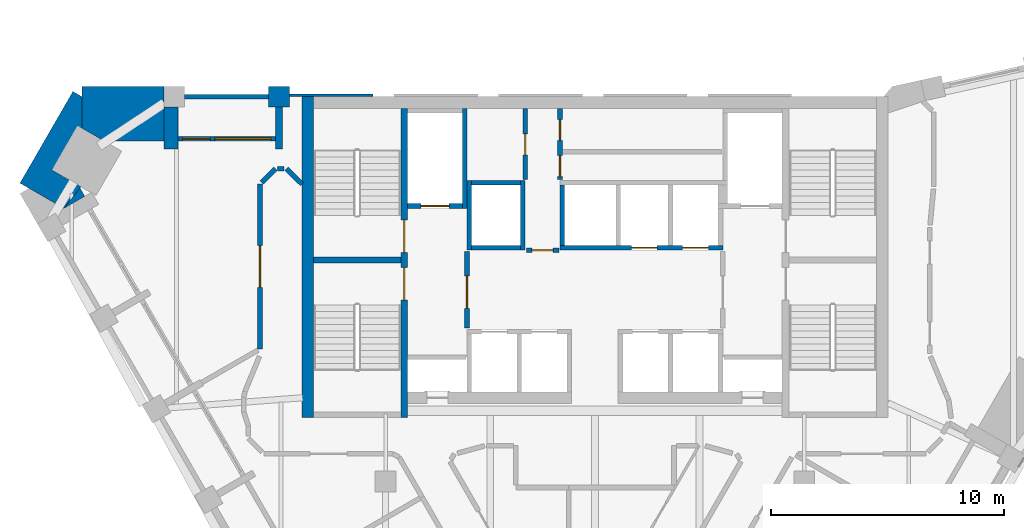
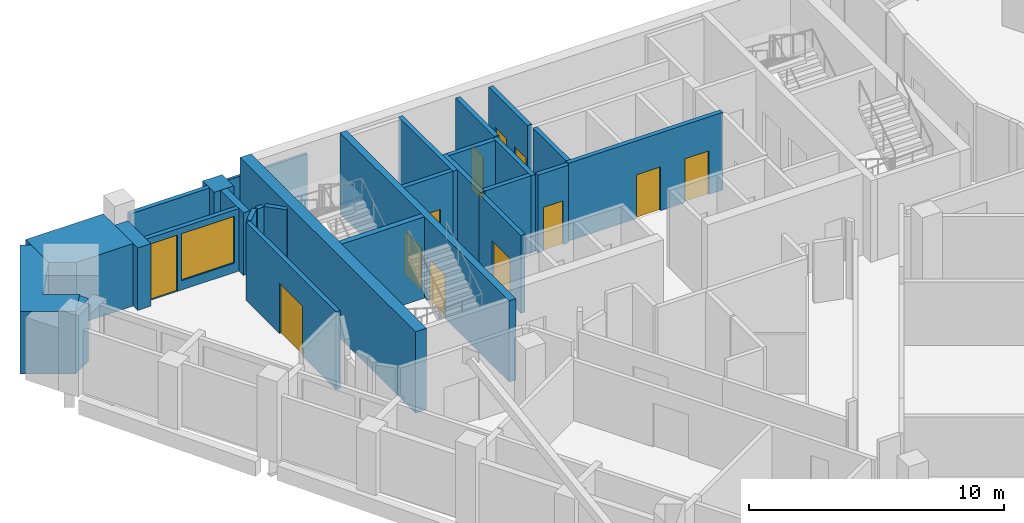
# One storey, part 5 of 8: 28 walls, 12 doors, 1 window, 13 openings.
"""IFC4 building model written with IfcOpenShell, lengths in metres."""

from ifc_helpers import new_model, si_unit, direction, frame, frame_2d, origin, place, context, subcontext, project, spatial, polyline, rectangle, outline, extrude, material, layer, layer_set, type_object, element, fill, save


model = new_model("IFC4")

# Units and contexts
model_context = context("Model", 3, precision=1e-05, world=origin(), true_north=direction((0.0, 1.0)))
body_context = subcontext(model_context, "Body", "Model", "MODEL_VIEW")
ifc_project = project(units=[si_unit("LENGTHUNIT", "METRE"), si_unit("AREAUNIT", "SQUARE_METRE"), si_unit("VOLUMEUNIT", "CUBIC_METRE"), si_unit("PLANEANGLEUNIT", "RADIAN"), si_unit("MASSUNIT", "GRAM", prefix="KILO")], contexts=[model_context])

# Site, building, storey
site_placement = place(None, origin())
site = spatial("IfcSite", under=ifc_project, at=site_placement, CompositionType="ELEMENT")
building_placement = place(site_placement, origin())
building = spatial("IfcBuilding", under=site, at=building_placement, Name="Calabash Gate Tower", CompositionType="ELEMENT")
storey_placement = place(building_placement, frame((0.0, 0.0, 263.800048828125)))
storey = spatial("IfcBuildingStorey", under=building, at=storey_placement, Name="L63", CompositionType="ELEMENT", Elevation=263.800048828125)

# Walls
ifc_material_1 = material(Name="Terracotta brick masonry, exposed face", Category="masonry")
ifc_layer_1 = layer(ifc_material_1, 2.35009765625)
ifc_layer_set_1 = layer_set([ifc_layer_1], Name="Brick corner mass wall 2350")
wall_type_1 = type_object("IfcWallType", Name="Brick corner mass wall 2350", PredefinedType="SOLIDWALL", material=ifc_layer_set_1)
wall_1_placement = place(storey_placement, origin())
element("IfcWall", 1, at=wall_1_placement, inside=storey, type_object=wall_type_1, Name="Brick corner pier S18 3a", PredefinedType="SOLIDWALL", context=body_context, shape_type="SweptSolid", body=[
    extrude(outline(polyline([(-21.11572265625, 17.152587890625), (-18.53857421875, 17.152587890625), (-18.53857421875, 18.60302734375), (-18.5390625, 18.60302734375), (-18.5390625, 19.50244140625), (-22.058349609375, 19.50244140625), (-22.058349609375, 17.69677734375), (-21.11572265625, 17.152587890625)])), origin(), (0.0, 0.0, 1.0), 3.0),
])
wall_2_placement = place(storey_placement, origin())
element("IfcWall", 2, at=wall_2_placement, inside=storey, type_object=wall_type_1, Name="Brick corner pier S18 3b", PredefinedType="SOLIDWALL", context=body_context, shape_type="SweptSolid", body=[
    extrude(outline(polyline([(-23.355712890625, 15.9052734375), (-22.058349609375, 17.69677734375), (-22.058349609375, 19.052490234375), (-22.4482421875, 19.277587890625), (-24.72216796875, 15.3388671875), (-22.836669921875, 14.250244140625), (-22.10009765625, 15.180419921875), (-23.355712890625, 15.9052734375)])), origin(), (0.0, 0.0, 1.0), 3.0),
])
wall_3_placement = place(storey_placement, origin())
element("IfcWall", 3, at=wall_3_placement, inside=storey, type_object=wall_type_1, Name="Brick corner pier S18 3cb", PredefinedType="SOLIDWALL", context=body_context, shape_type="SweptSolid", body=[
    extrude(outline(polyline([(-21.939208984375, 14.768310546875), (-22.14453125, 15.124267578125), (-22.836669921875, 14.250244140625), (-21.939208984375, 14.768310546875)])), origin(), (0.0, 0.0, 1.0), 3.0),
])
ifc_material_2 = material(Name="Terracotta brick masonry, exposed face", Category="masonry")
ifc_layer_2 = layer(ifc_material_2, 0.89990234375)
ifc_layer_set_2 = layer_set([ifc_layer_2], Name="Brick end wall 900")
wall_type_2 = type_object("IfcWallType", Name="Brick end wall 900", PredefinedType="SOLIDWALL", material=ifc_layer_set_2)
wall_4_placement = place(storey_placement, origin())
element("IfcWall", 4, at=wall_4_placement, inside=storey, type_object=wall_type_2, Name="Brick pier S18 N6.5", PredefinedType="SOLIDWALL", context=body_context, shape_type="SweptSolid", body=[
    extrude(outline(polyline([(-13.138427734375, 19.50244140625), (-14.03857421875, 19.50244140625), (-14.03857421875, 18.6025390625), (-13.138427734375, 18.6025390625), (-13.138427734375, 19.50244140625)])), origin(), (0.0, 0.0, 1.0), 3.0),
])
ifc_material_3 = material(Name="Terracotta brick masonry, exposed face", Category="masonry")
ifc_layer_3 = layer(ifc_material_3, 0.300048828125)
ifc_layer_set_3 = layer_set([ifc_layer_3], Name="Brick loggia cheek wall 300")
wall_type_3 = type_object("IfcWallType", Name="Brick loggia cheek wall 300", PredefinedType="SOLIDWALL", material=ifc_layer_set_3)
wall_5_placement = place(storey_placement, origin())
element("IfcWall", 5, at=wall_5_placement, inside=storey, type_object=wall_type_3, Name="Loggia cheek S18 N6.5", PredefinedType="SOLIDWALL", context=body_context, shape_type="SweptSolid", body=[
    extrude(outline(polyline([(-13.4384765625, 16.802490234375), (-13.4384765625, 18.6025390625), (-13.738525390625, 18.6025390625), (-13.738525390625, 16.802490234375), (-13.4384765625, 16.802490234375)])), origin(), (0.0, 0.0, 1.0), 3.0),
])
wall_6_placement = place(storey_placement, origin())
element("IfcWall", 6, at=wall_6_placement, inside=storey, type_object=wall_type_3, Name="Loggia cheek S18 N6.6", PredefinedType="SOLIDWALL", context=body_context, shape_type="SweptSolid", body=[
    extrude(outline(polyline([(-18.53857421875, 18.6025390625), (-18.53857421875, 16.802490234375), (-17.9384765625, 16.802490234375), (-17.9384765625, 18.6025390625), (-18.53857421875, 18.6025390625)])), origin(), (0.0, 0.0, 1.0), 3.0),
])
ifc_material_4 = material(Name="Concrete C60/75", Category="concrete")
ifc_layer_4 = layer(ifc_material_4, 0.25)
ifc_layer_set_4 = layer_set([ifc_layer_4], Name="Core wall 250 Concrete C60/75")
wall_type_4 = type_object("IfcWallType", Name="Core wall 250 Concrete C60/75", PredefinedType="SHEAR", material=ifc_layer_set_4)
wall_7_placement = place(storey_placement, frame((-12.10009765625, 12.027587890625, 0.0), z_axis=(0.0, 0.0, 1.0), x_axis=(1.0, 0.0, 0.0)))
element("IfcWall", 7, at=wall_7_placement, inside=storey, type_object=wall_type_4, Name="Core wall Z5-MIDW L63", PredefinedType="SHEAR", context=body_context, shape_type="SweptSolid", body=[
    extrude(rectangle(XDim=3.75, YDim=0.25, at=frame_2d((1.875, 0.0))), origin(), (0.0, 0.0, 1.0), 3.89990234375),
])

# Wall, openings, doors
ifc_material_5 = material(Name="Concrete C60/75", Category="concrete")
ifc_layer_5 = layer(ifc_material_5, 0.300048828125)
ifc_layer_set_5 = layer_set([ifc_layer_5], Name="Core wall 300 Concrete C60/75")
wall_type_5 = type_object("IfcWallType", Name="Core wall 300 Concrete C60/75", PredefinedType="SHEAR", material=ifc_layer_set_5)
wall_8_placement = place(storey_placement, frame((-8.199951171875, 5.252685546875, 0.0), z_axis=(0.0, 0.0, 1.0), x_axis=(0.0, 1.0, 0.0)))
wall_8 = element("IfcWall", 8, at=wall_8_placement, inside=storey, type_object=wall_type_5, Name="Core wall Z5-PARTW L63", PredefinedType="SHEAR", context=body_context, shape_type="SweptSolid", body=[
    extrude(rectangle(XDim=13.2998046875, YDim=0.300048828125, at=frame_2d((6.64990234375, 0.0))), origin(), (0.0, 0.0, 1.0), 3.89990234375),
])
opening_1_placement = place(wall_8_placement, frame((7.10009765625, 0.0, 0.0)))
opening_1 = element("IfcOpeningElement", 9, at=opening_1_placement, cuts=wall_8, Name="Opening O10-009", PredefinedType="OPENING", context=body_context, shape_type="SweptSolid", body=[
    extrude(rectangle(XDim=1.39990234375, YDim=2.10009765625, at=frame_2d((0.699951171875, 1.050048828125))), frame((0.0, 0.159912109375, 0.0), z_axis=(0.0, -1.0, 0.0), x_axis=(1.0, 0.0, 0.0)), (0.0, 0.0, 1.0), 0.320068359375),
])
opening_2_placement = place(wall_8_placement, frame((5.050048828125, 0.0, 0.0)))
opening_2 = element("IfcOpeningElement", 10, at=opening_2_placement, cuts=wall_8, Name="Opening O10-010", PredefinedType="OPENING", context=body_context, shape_type="SweptSolid", body=[
    extrude(rectangle(XDim=1.39990234375, YDim=2.10009765625, at=frame_2d((0.699951171875, 1.050048828125))), frame((0.0, 0.159912109375, 0.0), z_axis=(0.0, -1.0, 0.0), x_axis=(1.0, 0.0, 0.0)), (0.0, 0.0, 1.0), 0.320068359375),
])
ifc_material_6 = material(Name="Steel fire door set with fire-resisting glazing", Category="steel")
door_type_1 = type_object("IfcDoorType", Name="Fire door D05 1400x2100 FD90", OperationType="NOTDEFINED", PredefinedType="DOOR", material=ifc_material_6)
door_1_placement = place(opening_1_placement, origin())
door_1 = element("IfcDoor", 11, at=door_1_placement, inside=storey, type_object=door_type_1, Name="Exit stair door ST1", OperationType="SINGLE_SWING_LEFT", OverallHeight=2.10009765625, OverallWidth=1.39990234375, PredefinedType="DOOR", context=body_context, shape_type="SweptSolid", body=[
    extrude(rectangle(XDim=1.39990234375, YDim=2.10009765625, at=frame_2d((0.699951171875, 1.050048828125))), frame((0.0, 0.02490234375, 0.0), z_axis=(0.0, -1.0, 0.0), x_axis=(1.0, 0.0, 0.0)), (0.0, 0.0, 1.0), 0.050048828125),
])
fill(opening_1, door_1)
door_2_placement = place(opening_2_placement, origin())
door_2 = element("IfcDoor", 12, at=door_2_placement, inside=storey, type_object=door_type_1, Name="Exit stair door ST2", OperationType="SINGLE_SWING_LEFT", OverallHeight=2.10009765625, OverallWidth=1.39990234375, PredefinedType="DOOR", context=body_context, shape_type="SweptSolid", body=[
    extrude(rectangle(XDim=1.39990234375, YDim=2.10009765625, at=frame_2d((0.699951171875, 1.050048828125))), frame((0.0, 0.02490234375, 0.0), z_axis=(0.0, -1.0, 0.0), x_axis=(1.0, 0.0, 0.0)), (0.0, 0.0, 1.0), 0.050048828125),
])
fill(opening_2, door_2)

# Wall
ifc_material_7 = material(Name="Concrete C60/75", Category="concrete")
ifc_layer_6 = layer(ifc_material_7, 0.5)
ifc_layer_set_6 = layer_set([ifc_layer_6], Name="Core wall 500 Concrete C60/75")
wall_type_6 = type_object("IfcWallType", Name="Core wall 500 Concrete C60/75", PredefinedType="SHEAR", material=ifc_layer_set_6)
wall_9_placement = place(storey_placement, frame((-12.35009765625, 5.252685546875, 0.0), z_axis=(0.0, 0.0, 1.0), x_axis=(0.0, 1.0, 0.0)))
element("IfcWall", 13, at=wall_9_placement, inside=storey, type_object=wall_type_6, Name="Core wall Z5-COLW L63", PredefinedType="SHEAR", context=body_context, shape_type="SweptSolid", body=[
    extrude(rectangle(XDim=13.7998046875, YDim=0.5, at=frame_2d((6.89990234375, 0.0))), origin(), (0.0, 0.0, 1.0), 3.89990234375),
])

# Wall, opening, door
ifc_material_8 = material(Name="Gypsum board on steel studs, mineral wool", Category="steel")
ifc_layer_7 = layer(ifc_material_8, 0.199951171875)
ifc_layer_set_7 = layer_set([ifc_layer_7], Name="Partition 200 gypsum board EI 60")
wall_type_7 = type_object("IfcWallType", Name="Partition 200 gypsum board EI 60", PredefinedType="PARTITIONING", material=ifc_layer_set_7)
wall_10_placement = place(storey_placement, frame((-14.402099609375, 8.2080078125, 0.0), z_axis=(0.0, 0.0, 1.0), x_axis=(0.000241221262, 0.999999970906, 0.0)))
wall_10 = element("IfcWall", 14, at=wall_10_placement, inside=storey, type_object=wall_type_7, Name="Partition", PredefinedType="PARTITIONING", context=body_context, shape_type="SweptSolid", body=[
    extrude(rectangle(XDim=7.084716796875, YDim=0.199951171875, at=frame_2d((3.54248046875, 0.0))), origin(), (0.0, 0.0, 1.0), 3.72998046875),
])
opening_3_placement = place(wall_10_placement, frame((2.642822265625, 0.0, 0.0)))
opening_3 = element("IfcOpeningElement", 15, at=opening_3_placement, cuts=wall_10, Name="Opening 62-64-006", PredefinedType="OPENING", context=body_context, shape_type="SweptSolid", body=[
    extrude(rectangle(XDim=1.800048828125, YDim=2.39990234375, at=frame_2d((0.89990234375, 1.199951171875))), frame((0.0, 0.10986328125, 0.0), z_axis=(0.0, -1.0, 0.0), x_axis=(1.0, 0.0, 0.0)), (0.0, 0.0, 1.0), 0.219970703125),
])
ifc_material_9 = material(Name="Steel fire door set with fire-resisting glazing", Category="steel")
door_type_2 = type_object("IfcDoorType", Name="OD5 Open office double door 1800x2400", OperationType="NOTDEFINED", PredefinedType="DOOR", material=ifc_material_9)
door_3_placement = place(opening_3_placement, origin())
door_3 = element("IfcDoor", 16, at=door_3_placement, inside=storey, type_object=door_type_2, Name="Open office double door", OperationType="DOUBLE_DOOR_SINGLE_SWING", OverallHeight=2.39990234375, OverallWidth=1.800048828125, PredefinedType="DOOR", context=body_context, shape_type="SweptSolid", body=[
    extrude(rectangle(XDim=1.800048828125, YDim=2.39990234375, at=frame_2d((0.89990234375, 1.199951171875))), frame((0.0, 0.02490234375, 0.0), z_axis=(0.0, -1.0, 0.0), x_axis=(1.0, 0.0, 0.0)), (0.0, 0.0, 1.0), 0.050048828125),
])
fill(opening_3, door_3)

# Walls
wall_11_placement = place(storey_placement, frame((-14.329833984375, 15.36328125, 0.0), z_axis=(0.0, 0.0, 1.0), x_axis=(0.707106781187, 0.707106781187, 0.0)))
element("IfcWall", 17, at=wall_11_placement, inside=storey, type_object=wall_type_7, Name="Partition", PredefinedType="PARTITIONING", context=body_context, shape_type="SweptSolid", body=[
    extrude(rectangle(XDim=0.834228515625, YDim=0.199951171875, at=frame_2d((0.4169921875, 0.0))), origin(), (0.0, 0.0, 1.0), 3.72998046875),
])
wall_12_placement = place(storey_placement, frame((-13.639892578125, 15.952880859375, 0.0), z_axis=(0.0, 0.0, 1.0), x_axis=(1.0, 0.0, 0.0)))
element("IfcWall", 18, at=wall_12_placement, inside=storey, type_object=wall_type_7, Name="Partition", PredefinedType="PARTITIONING", context=body_context, shape_type="SweptSolid", body=[
    extrude(rectangle(XDim=0.280029296875, YDim=0.199951171875, at=frame_2d((0.14013671875, 0.0))), origin(), (0.0, 0.0, 1.0), 3.72998046875),
])
wall_13_placement = place(storey_placement, frame((-13.259765625, 15.952880859375, 0.0), z_axis=(0.0, 0.0, 1.0), x_axis=(0.708285399161, -0.705926195389, 0.0)))
element("IfcWall", 19, at=wall_13_placement, inside=storey, type_object=wall_type_7, Name="Partition", PredefinedType="PARTITIONING", context=body_context, shape_type="SweptSolid", body=[
    extrude(rectangle(XDim=0.931396484375, YDim=0.199951171875, at=frame_2d((0.4658203125, 0.0))), origin(), (0.0, 0.0, 1.0), 3.72998046875),
])

# Wall, opening, door
ifc_material_10 = material(Name="Concrete C40/50", Category="concrete")
ifc_layer_8 = layer(ifc_material_10, 0.199951171875)
ifc_layer_set_8 = layer_set([ifc_layer_8], Name="Shaft wall 200 Concrete C40/50")
wall_type_8 = type_object("IfcWallType", Name="Shaft wall 200 Concrete C40/50", PredefinedType="SOLIDWALL", material=ifc_layer_set_8)
wall_14_placement = place(storey_placement, frame((-5.5, 9.1025390625, 0.0), z_axis=(0.0, 0.0, 1.0), x_axis=(0.0, 1.0, 0.0)))
wall_14 = element("IfcWall", 20, at=wall_14_placement, inside=storey, type_object=wall_type_8, Name="Shaft wall", PredefinedType="SOLIDWALL", context=body_context, shape_type="SweptSolid", body=[
    extrude(rectangle(XDim=3.300048828125, YDim=0.199951171875, at=frame_2d((1.64990234375, 0.0))), origin(), (0.0, 0.0, 1.0), 3.72998046875),
])
opening_4_placement = place(wall_14_placement, frame((0.85009765625, 0.0, 0.0)))
opening_4 = element("IfcOpeningElement", 21, at=opening_4_placement, cuts=wall_14, Name="Opening O10-003", PredefinedType="OPENING", context=body_context, shape_type="SweptSolid", body=[
    extrude(rectangle(XDim=1.39990234375, YDim=2.10009765625, at=frame_2d((0.699951171875, 1.050048828125))), frame((0.0, 0.10986328125, 0.0), z_axis=(0.0, -1.0, 0.0), x_axis=(1.0, 0.0, 0.0)), (0.0, 0.0, 1.0), 0.219970703125),
])
door_4_placement = place(opening_4_placement, origin())
door_4 = element("IfcDoor", 22, at=door_4_placement, inside=storey, type_object=door_type_1, Name="Firefighting Lobby W door", OperationType="SINGLE_SWING_RIGHT", OverallHeight=2.10009765625, OverallWidth=1.39990234375, PredefinedType="DOOR", context=body_context, shape_type="SweptSolid", body=[
    extrude(rectangle(XDim=1.39990234375, YDim=2.10009765625, at=frame_2d((0.699951171875, 1.050048828125))), frame((0.0, 0.02490234375, 0.0), z_axis=(0.0, -1.0, 0.0), x_axis=(1.0, 0.0, 0.0)), (0.0, 0.0, 1.0), 0.050048828125),
])
fill(opening_4, door_4)

wall_15_placement = place(storey_placement, frame((-2.949951171875, 12.45263671875, 0.0), z_axis=(0.0, 0.0, 1.0), x_axis=(1.0, 0.0, 0.0)))
wall_15 = element("IfcWall", 23, at=wall_15_placement, inside=storey, type_object=wall_type_8, Name="Shaft wall", PredefinedType="SOLIDWALL", context=body_context, shape_type="SweptSolid", body=[
    extrude(rectangle(XDim=1.39990234375, YDim=0.199951171875, at=frame_2d((0.699951171875, 0.0))), origin(), (0.0, 0.0, 1.0), 3.72998046875),
])
opening_5_placement = place(wall_15_placement, frame((0.25, 0.0, 0.0)))
opening_5 = element("IfcOpeningElement", 24, at=opening_5_placement, cuts=wall_15, Name="Opening O10-001", PredefinedType="OPENING", context=body_context, shape_type="SweptSolid", body=[
    extrude(rectangle(XDim=0.89990234375, YDim=2.10009765625, at=frame_2d((0.449951171875, 1.050048828125))), frame((0.0, 0.10986328125, 0.0), z_axis=(0.0, -1.0, 0.0), x_axis=(1.0, 0.0, 0.0)), (0.0, 0.0, 1.0), 0.219970703125),
])
ifc_material_11 = material(Name="Steel fire door set with fire-resisting glazing", Category="steel")
door_type_3 = type_object("IfcDoorType", Name="Fire door D06 900x2100 FD60", OperationType="NOTDEFINED", PredefinedType="DOOR", material=ifc_material_11)
door_5_placement = place(opening_5_placement, origin())
door_5 = element("IfcDoor", 25, at=door_5_placement, inside=storey, type_object=door_type_3, Name="Service Corridor door", OperationType="SINGLE_SWING_RIGHT", OverallHeight=2.10009765625, OverallWidth=0.89990234375, PredefinedType="DOOR", context=body_context, shape_type="SweptSolid", body=[
    extrude(rectangle(XDim=0.89990234375, YDim=2.10009765625, at=frame_2d((0.449951171875, 1.050048828125))), frame((0.0, 0.02490234375, 0.0), z_axis=(0.0, -1.0, 0.0), x_axis=(1.0, 0.0, 0.0)), (0.0, 0.0, 1.0), 0.050048828125),
])
fill(opening_5, door_5)

# Walls
wall_16_placement = place(storey_placement, frame((-5.39990234375, 12.45263671875, 0.0), z_axis=(0.0, 0.0, 1.0), x_axis=(0.0, 1.0, 0.0)))
element("IfcWall", 26, at=wall_16_placement, inside=storey, type_object=wall_type_8, Name="Shaft wall", PredefinedType="SOLIDWALL", context=body_context, shape_type="SweptSolid", body=[
    extrude(rectangle(XDim=3.0, YDim=0.199951171875, at=frame_2d((1.5, 0.0))), origin(), (0.0, 0.0, 1.0), 3.72998046875),
])
wall_17_placement = place(storey_placement, frame((-5.300048828125, 12.552490234375, 0.0), z_axis=(0.0, 0.0, 1.0), x_axis=(1.0, 0.0, 0.0)))
element("IfcWall", 27, at=wall_17_placement, inside=storey, type_object=wall_type_8, Name="Shaft wall", PredefinedType="SOLIDWALL", context=body_context, shape_type="SweptSolid", body=[
    extrude(rectangle(XDim=2.10009765625, YDim=0.199951171875, at=frame_2d((1.050048828125, 0.0))), origin(), (0.0, 0.0, 1.0), 3.72998046875),
])
wall_18_placement = place(storey_placement, frame((-3.10009765625, 12.45263671875, 0.0), z_axis=(0.0, 0.0, 1.0), x_axis=(0.0, 1.0, 0.0)))
element("IfcWall", 28, at=wall_18_placement, inside=storey, type_object=wall_type_8, Name="Shaft wall", PredefinedType="SOLIDWALL", context=body_context, shape_type="SweptSolid", body=[
    extrude(rectangle(XDim=3.0, YDim=0.199951171875, at=frame_2d((1.5, 0.0))), origin(), (0.0, 0.0, 1.0), 3.72998046875),
])

# Wall, openings, doors
wall_19_placement = place(storey_placement, frame((-1.5, 12.552490234375, 0.0), z_axis=(0.0, 0.0, 1.0), x_axis=(1.0, 0.0, 0.0)))
wall_19 = element("IfcWall", 29, at=wall_19_placement, inside=storey, type_object=wall_type_8, Name="Shaft wall", PredefinedType="SOLIDWALL", context=body_context, shape_type="SweptSolid", body=[
    extrude(rectangle(XDim=7.0, YDim=0.199951171875, at=frame_2d((3.5, 0.0))), origin(), (0.0, 0.0, 1.0), 3.72998046875),
])
opening_6_placement = place(wall_19_placement, frame((3.074951171875, 0.0, 0.0)))
opening_6 = element("IfcOpeningElement", 30, at=opening_6_placement, cuts=wall_19, Name="Opening LD-HR5", PredefinedType="OPENING", context=body_context, shape_type="SweptSolid", body=[
    extrude(rectangle(XDim=1.10009765625, YDim=2.10009765625, at=frame_2d((0.550048828125, 1.050048828125))), frame((0.0, 0.10986328125, 0.0), z_axis=(0.0, -1.0, 0.0), x_axis=(1.0, 0.0, 0.0)), (0.0, 0.0, 1.0), 0.219970703125),
])
opening_7_placement = place(wall_19_placement, frame((5.27490234375, 0.0, 0.0)))
opening_7 = element("IfcOpeningElement", 31, at=opening_7_placement, cuts=wall_19, Name="Opening LD-HR6", PredefinedType="OPENING", context=body_context, shape_type="SweptSolid", body=[
    extrude(rectangle(XDim=1.10009765625, YDim=2.10009765625, at=frame_2d((0.550048828125, 1.050048828125))), frame((0.0, 0.10986328125, 0.0), z_axis=(0.0, -1.0, 0.0), x_axis=(1.0, 0.0, 0.0)), (0.0, 0.0, 1.0), 0.219970703125),
])
ifc_material_12 = material(Name="Stainless steel sliding door leaves", Category="steel")
door_type_4 = type_object("IfcDoorType", Name="Lift landing door LS1 1100x2100 FD90", OperationType="DOUBLE_DOOR_SLIDING", PredefinedType="DOOR", material=ifc_material_12)
door_6_placement = place(opening_6_placement, origin())
door_6 = element("IfcDoor", 32, at=door_6_placement, inside=storey, type_object=door_type_4, Name="Lift landing door HR5", OperationType="DOUBLE_DOOR_SLIDING", OverallHeight=2.10009765625, OverallWidth=1.10009765625, PredefinedType="DOOR", context=body_context, shape_type="SweptSolid", body=[
    extrude(rectangle(XDim=1.10009765625, YDim=2.10009765625, at=frame_2d((0.550048828125, 1.050048828125))), frame((0.0, 0.02490234375, 0.0), z_axis=(0.0, -1.0, 0.0), x_axis=(1.0, 0.0, 0.0)), (0.0, 0.0, 1.0), 0.050048828125),
])
fill(opening_6, door_6)
door_7_placement = place(opening_7_placement, origin())
door_7 = element("IfcDoor", 33, at=door_7_placement, inside=storey, type_object=door_type_4, Name="Lift landing door HR6", OperationType="DOUBLE_DOOR_SLIDING", OverallHeight=2.10009765625, OverallWidth=1.10009765625, PredefinedType="DOOR", context=body_context, shape_type="SweptSolid", body=[
    extrude(rectangle(XDim=1.10009765625, YDim=2.10009765625, at=frame_2d((0.550048828125, 1.050048828125))), frame((0.0, 0.02490234375, 0.0), z_axis=(0.0, -1.0, 0.0), x_axis=(1.0, 0.0, 0.0)), (0.0, 0.0, 1.0), 0.050048828125),
])
fill(opening_7, door_7)

# Wall
wall_20_placement = place(storey_placement, frame((-1.39990234375, 12.652587890625, 0.0), z_axis=(0.0, 0.0, 1.0), x_axis=(0.0, 1.0, 0.0)))
element("IfcWall", 34, at=wall_20_placement, inside=storey, type_object=wall_type_8, Name="Shaft wall", PredefinedType="SOLIDWALL", context=body_context, shape_type="SweptSolid", body=[
    extrude(rectangle(XDim=2.60009765625, YDim=0.199951171875, at=frame_2d((1.300048828125, 0.0))), origin(), (0.0, 0.0, 1.0), 3.72998046875),
])

# Wall, opening, door
wall_21_placement = place(storey_placement, frame((-8.050048828125, 14.3525390625, 0.0), z_axis=(0.0, 0.0, 1.0), x_axis=(1.0, 0.0, 0.0)))
wall_21 = element("IfcWall", 35, at=wall_21_placement, inside=storey, type_object=wall_type_8, Name="Shaft wall", PredefinedType="SOLIDWALL", context=body_context, shape_type="SweptSolid", body=[
    extrude(rectangle(XDim=2.35009765625, YDim=0.199951171875, at=frame_2d((1.175048828125, 0.0))), origin(), (0.0, 0.0, 1.0), 3.72998046875),
])
opening_8_placement = place(wall_21_placement, frame((0.574951171875, 0.0, 0.0)))
opening_8 = element("IfcOpeningElement", 36, at=opening_8_placement, cuts=wall_21, Name="Opening LD-FF1", PredefinedType="OPENING", context=body_context, shape_type="SweptSolid", body=[
    extrude(rectangle(XDim=1.199951171875, YDim=2.10009765625, at=frame_2d((0.60009765625, 1.050048828125))), frame((0.0, 0.10986328125, 0.0), z_axis=(0.0, -1.0, 0.0), x_axis=(1.0, 0.0, 0.0)), (0.0, 0.0, 1.0), 0.219970703125),
])
ifc_material_13 = material(Name="Stainless steel sliding door leaves", Category="steel")
door_type_5 = type_object("IfcDoorType", Name="Lift landing door LS3 1200x2100 FD90", OperationType="DOUBLE_DOOR_SLIDING", PredefinedType="DOOR", material=ifc_material_13)
door_8_placement = place(opening_8_placement, origin())
door_8 = element("IfcDoor", 37, at=door_8_placement, inside=storey, type_object=door_type_5, Name="Lift landing door FF1", OperationType="DOUBLE_DOOR_SLIDING", OverallHeight=2.10009765625, OverallWidth=1.199951171875, PredefinedType="DOOR", context=body_context, shape_type="SweptSolid", body=[
    extrude(rectangle(XDim=1.199951171875, YDim=2.10009765625, at=frame_2d((0.60009765625, 1.050048828125))), frame((0.0, 0.02490234375, 0.0), z_axis=(0.0, -1.0, 0.0), x_axis=(1.0, 0.0, 0.0)), (0.0, 0.0, 1.0), 0.050048828125),
])
fill(opening_8, door_8)

# Walls
wall_22_placement = place(storey_placement, frame((-5.60009765625, 14.252685546875, 0.0), z_axis=(0.0, 0.0, 1.0), x_axis=(0.0, 1.0, 0.0)))
element("IfcWall", 38, at=wall_22_placement, inside=storey, type_object=wall_type_8, Name="Shaft wall", PredefinedType="SOLIDWALL", context=body_context, shape_type="SweptSolid", body=[
    extrude(rectangle(XDim=4.2998046875, YDim=0.199951171875, at=frame_2d((2.14990234375, 0.0))), origin(), (0.0, 0.0, 1.0), 3.72998046875),
])
wall_23_placement = place(storey_placement, frame((-5.300048828125, 15.3525390625, 0.0), z_axis=(0.0, 0.0, 1.0), x_axis=(1.0, 0.0, 0.0)))
element("IfcWall", 39, at=wall_23_placement, inside=storey, type_object=wall_type_8, Name="Shaft wall", PredefinedType="SOLIDWALL", context=body_context, shape_type="SweptSolid", body=[
    extrude(rectangle(XDim=2.10009765625, YDim=0.199951171875, at=frame_2d((1.050048828125, 0.0))), origin(), (0.0, 0.0, 1.0), 3.72998046875),
])

# Wall, opening, door
wall_24_placement = place(storey_placement, frame((-3.0, 15.502685546875, 0.0), z_axis=(0.0, 0.0, 1.0), x_axis=(0.0, 1.0, 0.0)))
wall_24 = element("IfcWall", 40, at=wall_24_placement, inside=storey, type_object=wall_type_8, Name="Shaft wall", PredefinedType="SOLIDWALL", context=body_context, shape_type="SweptSolid", body=[
    extrude(rectangle(XDim=3.0498046875, YDim=0.199951171875, at=frame_2d((1.52490234375, 0.0))), origin(), (0.0, 0.0, 1.0), 3.72998046875),
])
opening_9_placement = place(wall_24_placement, frame((1.050048828125, 0.0, 0.0)))
opening_9 = element("IfcOpeningElement", 41, at=opening_9_placement, cuts=wall_24, Name="Opening O10-004", PredefinedType="OPENING", context=body_context, shape_type="SweptSolid", body=[
    extrude(rectangle(XDim=0.89990234375, YDim=2.10009765625, at=frame_2d((0.449951171875, 1.050048828125))), frame((0.0, 0.10986328125, 0.0), z_axis=(0.0, -1.0, 0.0), x_axis=(1.0, 0.0, 0.0)), (0.0, 0.0, 1.0), 0.219970703125),
])
door_9_placement = place(opening_9_placement, origin())
door_9 = element("IfcDoor", 42, at=door_9_placement, inside=storey, type_object=door_type_3, Name="Accessible WC door", OperationType="SINGLE_SWING_LEFT", OverallHeight=2.10009765625, OverallWidth=0.89990234375, PredefinedType="DOOR", context=body_context, shape_type="SweptSolid", body=[
    extrude(rectangle(XDim=0.89990234375, YDim=2.10009765625, at=frame_2d((0.449951171875, 1.050048828125))), frame((0.0, 0.02490234375, 0.0), z_axis=(0.0, -1.0, 0.0), x_axis=(1.0, 0.0, 0.0)), (0.0, 0.0, 1.0), 0.050048828125),
])
fill(opening_9, door_9)

# Wall, openings, doors
wall_25_placement = place(storey_placement, frame((-1.5, 15.502685546875, 0.0), z_axis=(0.0, 0.0, 1.0), x_axis=(0.0, 1.0, 0.0)))
wall_25 = element("IfcWall", 43, at=wall_25_placement, inside=storey, type_object=wall_type_8, Name="Shaft wall", PredefinedType="SOLIDWALL", context=body_context, shape_type="SweptSolid", body=[
    extrude(rectangle(XDim=3.0498046875, YDim=0.199951171875, at=frame_2d((1.52490234375, 0.0))), origin(), (0.0, 0.0, 1.0), 3.72998046875),
])
opening_10_placement = place(wall_25_placement, frame((0.1201171875, 0.0, 0.0)))
opening_10 = element("IfcOpeningElement", 44, at=opening_10_placement, cuts=wall_25, Name="Opening O10-005", PredefinedType="OPENING", context=body_context, shape_type="SweptSolid", body=[
    extrude(rectangle(XDim=0.89990234375, YDim=2.10009765625, at=frame_2d((0.449951171875, 1.050048828125))), frame((0.0, 0.10986328125, 0.0), z_axis=(0.0, -1.0, 0.0), x_axis=(1.0, 0.0, 0.0)), (0.0, 0.0, 1.0), 0.219970703125),
])
opening_11_placement = place(wall_25_placement, frame((1.669921875, 0.0, 0.0)))
opening_11 = element("IfcOpeningElement", 45, at=opening_11_placement, cuts=wall_25, Name="Opening O10-006", PredefinedType="OPENING", context=body_context, shape_type="SweptSolid", body=[
    extrude(rectangle(XDim=0.89990234375, YDim=2.10009765625, at=frame_2d((0.449951171875, 1.050048828125))), frame((0.0, 0.10986328125, 0.0), z_axis=(0.0, -1.0, 0.0), x_axis=(1.0, 0.0, 0.0)), (0.0, 0.0, 1.0), 0.219970703125),
])
door_10_placement = place(opening_10_placement, origin())
door_10 = element("IfcDoor", 46, at=door_10_placement, inside=storey, type_object=door_type_3, Name="Meter Room door", OperationType="SINGLE_SWING_LEFT", OverallHeight=2.10009765625, OverallWidth=0.89990234375, PredefinedType="DOOR", context=body_context, shape_type="SweptSolid", body=[
    extrude(rectangle(XDim=0.89990234375, YDim=2.10009765625, at=frame_2d((0.449951171875, 1.050048828125))), frame((0.0, 0.02490234375, 0.0), z_axis=(0.0, -1.0, 0.0), x_axis=(1.0, 0.0, 0.0)), (0.0, 0.0, 1.0), 0.050048828125),
])
fill(opening_10, door_10)
door_11_placement = place(opening_11_placement, origin())
door_11 = element("IfcDoor", 47, at=door_11_placement, inside=storey, type_object=door_type_3, Name="Cleaner's Store door", OperationType="SINGLE_SWING_LEFT", OverallHeight=2.10009765625, OverallWidth=0.89990234375, PredefinedType="DOOR", context=body_context, shape_type="SweptSolid", body=[
    extrude(rectangle(XDim=0.89990234375, YDim=2.10009765625, at=frame_2d((0.449951171875, 1.050048828125))), frame((0.0, 0.02490234375, 0.0), z_axis=(0.0, -1.0, 0.0), x_axis=(1.0, 0.0, 0.0)), (0.0, 0.0, 1.0), 0.050048828125),
])
fill(opening_11, door_11)

# Walls
ifc_material_14 = material(Name="Terracotta brick masonry, perforated", Category="masonry")
ifc_layer_9 = layer(ifc_material_14, 0.1201171875)
ifc_layer_set_9 = layer_set([ifc_layer_9], Name="Terracotta jaali cladding B 120")
wall_type_9 = type_object("IfcWallType", Name="Terracotta jaali cladding B 120", PredefinedType="SOLIDWALL", material=ifc_layer_set_9)
wall_26_placement = place(storey_placement, origin())
element("IfcWall", 48, at=wall_26_placement, inside=storey, type_object=wall_type_9, Name="Jaali cladding S18 N6.5", PredefinedType="SOLIDWALL", context=body_context, shape_type="SweptSolid", body=[
    extrude(outline(polyline([(-13.137939453125, 19.172607421875), (-13.137939453125, 19.052490234375), (-9.53857421875, 19.052490234375), (-9.53857421875, 19.172607421875), (-13.137939453125, 19.172607421875)])), origin(), (0.0, 0.0, 1.0), 3.0),
])
ifc_material_15 = material(Name="Terracotta brick masonry, perforated", Category="masonry")
ifc_layer_10 = layer(ifc_material_15, 0.199951171875)
ifc_layer_set_10 = layer_set([ifc_layer_10], Name="Terracotta jaali screen B")
wall_type_10 = type_object("IfcWallType", Name="Terracotta jaali screen B", PredefinedType="SOLIDWALL", material=ifc_layer_set_10)
wall_27_placement = place(storey_placement, frame((-14.03857421875, 19.052490234375, 0.0), z_axis=(0.0, 0.0, 1.0), x_axis=(-1.0, 0.0, 0.0)))
element("IfcWall", 49, at=wall_27_placement, inside=storey, type_object=wall_type_10, Name="SCREEN B S18 N6.6", PredefinedType="SOLIDWALL", context=body_context, shape_type="SweptSolid", body=[
    extrude(rectangle(XDim=3.599853515625, YDim=0.199951171875, at=frame_2d((1.7998046875, 0.0))), origin(), (0.0, 0.0, 1.0), 3.0),
])

# Wall, openings, door, window
ifc_material_16 = material(Name="Aluminium framed window wall with insulated spandrel", Category="aluminium")
ifc_layer_11 = layer(ifc_material_16, 0.199951171875)
ifc_layer_set_11 = layer_set([ifc_layer_11], Name="Window wall 200")
wall_type_11 = type_object("IfcWallType", Name="Window wall 200", PredefinedType="ELEMENTEDWALL", material=ifc_layer_set_11)
wall_28_placement = place(storey_placement, frame((-13.738525390625, 17.25244140625, 0.0), z_axis=(0.0, 0.0, 1.0), x_axis=(-1.0, 0.0, 0.0)))
wall_28 = element("IfcWall", 50, at=wall_28_placement, inside=storey, type_object=wall_type_11, Name="Window wall S18 N6.6", PredefinedType="ELEMENTEDWALL", context=body_context, shape_type="SweptSolid", body=[
    extrude(rectangle(XDim=4.199951171875, YDim=0.199951171875, at=frame_2d((2.10009765625, 0.0))), origin(), (0.0, 0.0, 1.0), 3.0),
])
opening_12_placement = place(wall_28_placement, frame((0.199951171875, 0.0, 0.449951171875)))
opening_12 = element("IfcOpeningElement", 51, at=opening_12_placement, cuts=wall_28, Name="Opening OW1", PredefinedType="OPENING", context=body_context, shape_type="SweptSolid", body=[
    extrude(rectangle(XDim=2.39990234375, YDim=2.25, at=frame_2d((1.199951171875, 1.125))), frame((0.0, 0.10986328125, 0.0), z_axis=(0.0, -1.0, 0.0), x_axis=(1.0, 0.0, 0.0)), (0.0, 0.0, 1.0), 0.219970703125),
])
opening_13_placement = place(wall_28_placement, frame((2.800048828125, 0.0, 0.0)))
opening_13 = element("IfcOpeningElement", 52, at=opening_13_placement, cuts=wall_28, Name="Opening O10-013", PredefinedType="OPENING", context=body_context, shape_type="SweptSolid", body=[
    extrude(rectangle(XDim=1.199951171875, YDim=2.699951171875, at=frame_2d((0.60009765625, 1.35009765625))), frame((0.0, 0.10986328125, 0.0), z_axis=(0.0, -1.0, 0.0), x_axis=(1.0, 0.0, 0.0)), (0.0, 0.0, 1.0), 0.219970703125),
])
ifc_material_17 = material(Name="Anodised aluminium frame, bronze finish, impact-rated laminated clear glazing", Category="aluminium")
door_type_6 = type_object("IfcDoorType", Name="Loggia door DO1 1200x2700", OperationType="SLIDING_TO_LEFT", PredefinedType="DOOR", material=ifc_material_17)
door_12_placement = place(opening_13_placement, origin())
door_12 = element("IfcDoor", 53, at=door_12_placement, inside=storey, type_object=door_type_6, Name="Loggia door S18 N6.6", OperationType="SINGLE_SWING_LEFT", OverallHeight=2.699951171875, OverallWidth=1.199951171875, PredefinedType="DOOR", context=body_context, shape_type="SweptSolid", body=[
    extrude(rectangle(XDim=1.199951171875, YDim=2.699951171875, at=frame_2d((0.60009765625, 1.35009765625))), frame((0.0, 0.02490234375, 0.0), z_axis=(0.0, -1.0, 0.0), x_axis=(1.0, 0.0, 0.0)), (0.0, 0.0, 1.0), 0.050048828125),
])
fill(opening_13, door_12)
ifc_material_18 = material(Name="Anodised aluminium frame, bronze finish, impact-rated laminated clear glazing", Category="aluminium")
window_type = type_object("IfcWindowType", Name="Window OW1 2400x2250", PartitioningType="DOUBLE_PANEL_VERTICAL", PredefinedType="WINDOW", material=ifc_material_18)
window_placement = place(opening_12_placement, origin())
window = element("IfcWindow", 54, at=window_placement, inside=storey, type_object=window_type, Name="Window OW1 S18 N6.6", OverallHeight=2.25, OverallWidth=2.39990234375, PartitioningType="SINGLE_PANEL", PredefinedType="WINDOW", context=body_context, shape_type="SweptSolid", body=[
    extrude(rectangle(XDim=2.39990234375, YDim=2.25, at=frame_2d((1.199951171875, 1.125))), frame((0.0, 0.030029296875, 0.0), z_axis=(0.0, -1.0, 0.0), x_axis=(1.0, 0.0, 0.0)), (0.0, 0.0, 1.0), 0.06005859375),
])
fill(opening_12, window)

save(model, "model.ifc")
